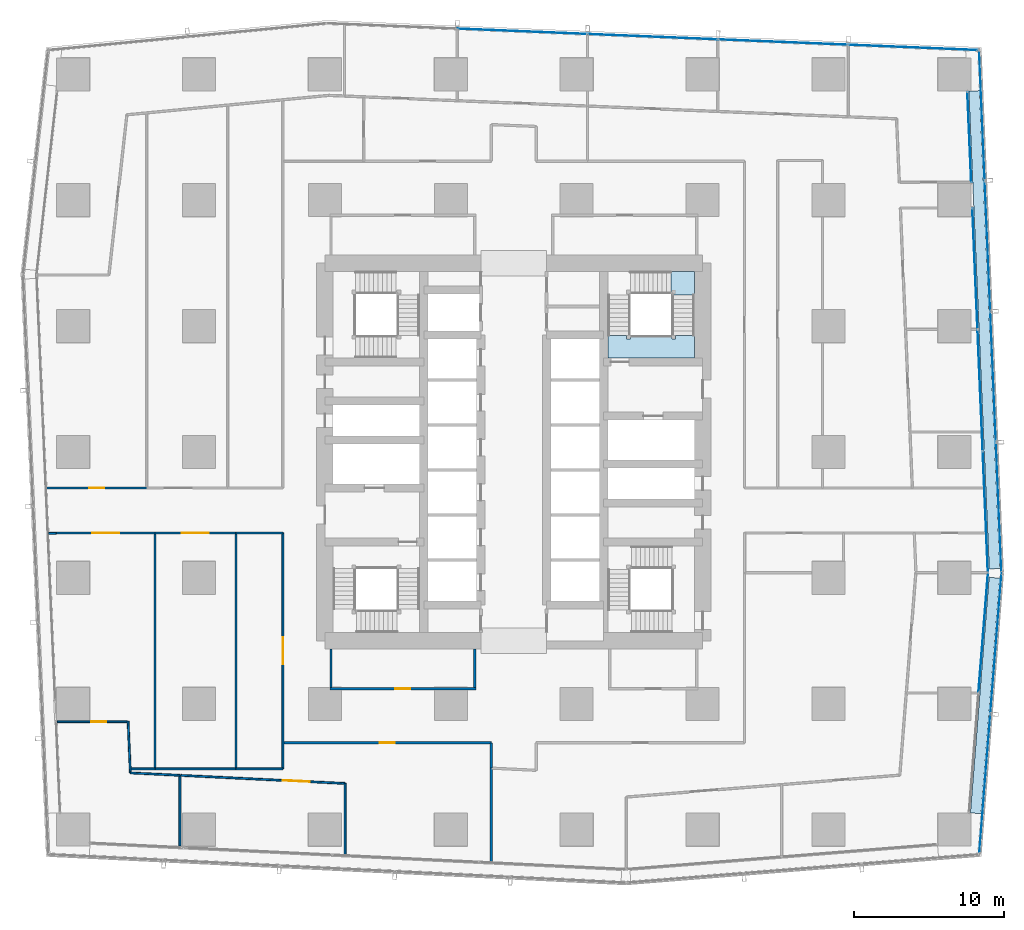
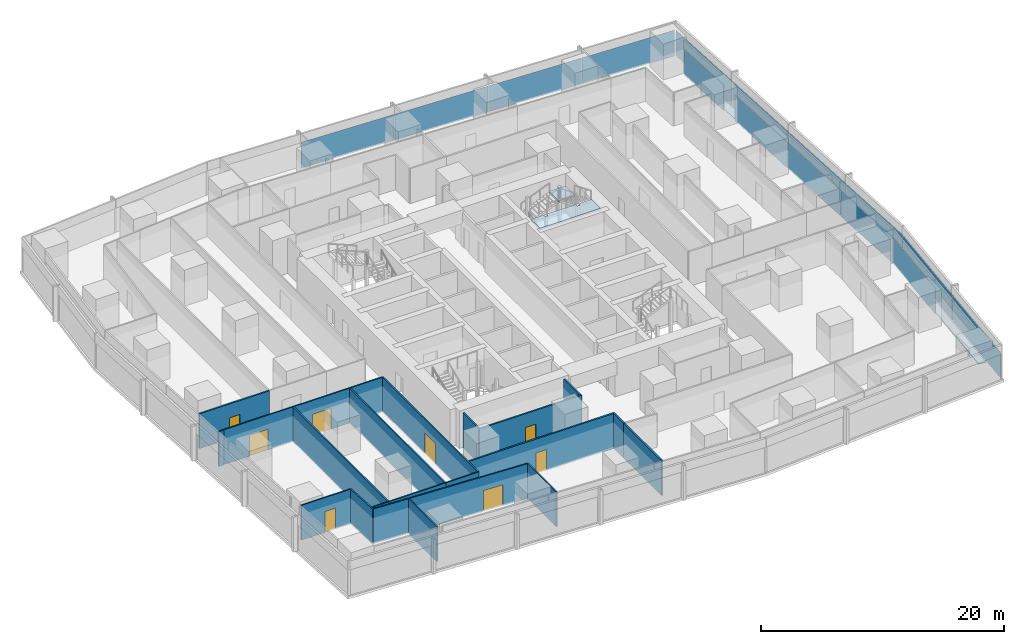
# One storey, part 31 of 44: 23 walls, 17 plates, 8 doors, 2 slabs, 8 openings, 7 elements without a shape of their own.
"""IFC4 building model written with IfcOpenShell, lengths in metres."""

from ifc_helpers import new_model, si_unit, direction, frame, frame_2d, origin, origin_2d, place, context, subcontext, project, spatial, polyline, rectangle, outline, extrude, material, layer, layer_set, type_object, element, fill, aggregate, save


model = new_model("IFC4")

# Units and contexts
model_context = context("Model", 3, precision=1e-05, world=origin(), true_north=direction((0.0, 1.0)))
body_context = subcontext(model_context, "Body", "Model", "MODEL_VIEW")
ifc_project = project(units=[si_unit("LENGTHUNIT", "METRE"), si_unit("AREAUNIT", "SQUARE_METRE"), si_unit("VOLUMEUNIT", "CUBIC_METRE"), si_unit("PLANEANGLEUNIT", "RADIAN"), si_unit("MASSUNIT", "GRAM", prefix="KILO")], contexts=[model_context])

# Site, building, storey
site_placement = place(None, origin())
site = spatial("IfcSite", under=ifc_project, at=site_placement, CompositionType="ELEMENT")
building_placement = place(site_placement, origin())
building = spatial("IfcBuilding", under=site, at=building_placement, Name="Rekha Terrace Tower", CompositionType="ELEMENT")
storey_placement = place(building_placement, frame((0.0, 0.0, 47.89990234375)))
storey = spatial("IfcBuildingStorey", under=building, at=storey_placement, Name="L11", CompositionType="ELEMENT", Elevation=47.89990234375)

# Curtain wall, plate
ifc_material_1 = material(Name="Aluminium framing", Category="aluminium")
curtain_wall_type_1 = type_object("IfcCurtainWallType", Name="CW1 double skin inner glazing", PredefinedType="USERDEFINED", material=ifc_material_1)
curtain_wall_1_placement = place(storey_placement, origin())
curtain_wall_1 = element("IfcCurtainWall", 1, at=curtain_wall_1_placement, inside=storey, type_object=curtain_wall_type_1, Name="CW1 double skin inner glazing", ObjectType="DOUBLE SKIN INNER GLAZING", PredefinedType="USERDEFINED")
ifc_material_2 = material(Name="Double-glazed low-e unit 32", Category="glass")
ifc_layer_1 = layer(ifc_material_2, 0.031982421875)
ifc_layer_set_1 = layer_set([ifc_layer_1], Name="Double-glazed low-e unit 32")
plate_type_1 = type_object("IfcPlateType", Name="CW1 jumbo vision panel, double-glazed low-e unit 32", PredefinedType="CURTAIN_PANEL", material=ifc_layer_set_1)
plate_1_placement = place(storey_placement, frame((69.1220703125, 21.53759765625, 0.0), z_axis=(0.0, 0.0, 1.0), x_axis=(0.079116301, 0.996865392576, 0.0)))
plate_1 = element("IfcPlate", 2, at=plate_1_placement, type_object=plate_type_1, Name="CW1 panel 2.1", PredefinedType="CURTAIN_PANEL", context=body_context, shape_type="SweptSolid", body=[
    extrude(rectangle(XDim=7.988525390625, YDim=0.031982421875, at=origin_2d()), origin(), (0.0, 0.0, 1.0), 2.60009765625),
])
aggregate(curtain_wall_1, [plate_1])

# Curtain wall, plates
curtain_wall_2_placement = place(storey_placement, origin())
curtain_wall_2 = element("IfcCurtainWall", 3, at=curtain_wall_2_placement, inside=storey, type_object=curtain_wall_type_1, Name="CW1 double skin inner glazing", ObjectType="DOUBLE SKIN INNER GLAZING", PredefinedType="USERDEFINED")
plate_2_placement = place(storey_placement, frame((69.263671875, 29.60107421875, 0.0), z_axis=(0.0, 0.0, 1.0), x_axis=(-0.042696072921, 0.999088106904, 0.0)))
plate_2 = element("IfcPlate", 4, at=plate_2_placement, type_object=plate_type_1, Name="CW1 panel 1.1", PredefinedType="CURTAIN_PANEL", context=body_context, shape_type="SweptSolid", body=[
    extrude(rectangle(XDim=8.041015625, YDim=0.031982421875, at=origin_2d()), origin(), (0.0, 0.0, 1.0), 2.60009765625),
])
plate_3_placement = place(storey_placement, frame((68.9169921875, 37.7158203125, 0.0), z_axis=(0.0, 0.0, 1.0), x_axis=(-0.042696072921, 0.999088106904, 0.0)))
plate_3 = element("IfcPlate", 5, at=plate_3_placement, type_object=plate_type_1, Name="CW1 panel 2.1", PredefinedType="CURTAIN_PANEL", context=body_context, shape_type="SweptSolid", body=[
    extrude(rectangle(XDim=8.073486328125, YDim=0.031982421875, at=origin_2d()), origin(), (0.0, 0.0, 1.0), 2.60009765625),
])
plate_4_placement = place(storey_placement, frame((68.5703125, 45.83056640625, 0.0), z_axis=(0.0, 0.0, 1.0), x_axis=(-0.042696072921, 0.999088106904, 0.0)))
plate_4 = element("IfcPlate", 6, at=plate_4_placement, type_object=plate_type_1, Name="CW1 panel 3.1", PredefinedType="CURTAIN_PANEL", context=body_context, shape_type="SweptSolid", body=[
    extrude(rectangle(XDim=8.041015625, YDim=0.031982421875, at=origin_2d()), origin(), (0.0, 0.0, 1.0), 2.60009765625),
])
aggregate(curtain_wall_2, [plate_2, plate_3, plate_4])

# Curtain wall, plate
curtain_wall_3_placement = place(storey_placement, origin())
curtain_wall_3 = element("IfcCurtainWall", 7, at=curtain_wall_3_placement, inside=storey, type_object=curtain_wall_type_1, Name="CW1 double skin inner glazing", ObjectType="DOUBLE SKIN INNER GLAZING", PredefinedType="USERDEFINED")
plate_5_placement = place(storey_placement, frame((68.195556640625, 54.60009765625, 0.0), z_axis=(0.0, 0.0, 1.0), x_axis=(-0.042696073026, 0.9990881069, 0.0)))
plate_5 = element("IfcPlate", 8, at=plate_5_placement, type_object=plate_type_1, Name="CW1 panel 1.1", PredefinedType="CURTAIN_PANEL", context=body_context, shape_type="SweptSolid", body=[
    extrude(rectangle(XDim=6.027587890625, YDim=0.031982421875, at=origin_2d()), origin(), (0.0, 0.0, 1.0), 2.60009765625),
])
aggregate(curtain_wall_3, [plate_5])

# Curtain wall, plates
curtain_wall_type_2 = type_object("IfcCurtainWallType", Name="CW2 double skin outer glazing", PredefinedType="USERDEFINED", material=ifc_material_1)
curtain_wall_4_placement = place(storey_placement, origin())
curtain_wall_4 = element("IfcCurtainWall", 9, at=curtain_wall_4_placement, inside=storey, type_object=curtain_wall_type_2, Name="CW2 double skin outer glazing", ObjectType="DOUBLE SKIN OUTER GLAZING", PredefinedType="USERDEFINED")
ifc_material_3 = material(Name="Toughened single glazing 12", Category="glass")
ifc_layer_2 = layer(ifc_material_3, 0.011962890625)
ifc_layer_set_2 = layer_set([ifc_layer_2], Name="Toughened single glazing 12")
plate_type_2 = type_object("IfcPlateType", Name="CW2 jumbo vision panel, toughened single glazing 12", PredefinedType="CURTAIN_PANEL", material=ifc_layer_set_2)
plate_6_placement = place(storey_placement, frame((69.22509765625, 11.45703125, 0.0), z_axis=(0.0, 0.0, 1.0), x_axis=(0.079116301017, 0.996865392575, 0.0)))
plate_6 = element("IfcPlate", 10, at=plate_6_placement, type_object=plate_type_2, Name="CW2 panel 1.1", PredefinedType="CURTAIN_PANEL", context=body_context, shape_type="SweptSolid", body=[
    extrude(rectangle(XDim=9.28662109375, YDim=0.011962890625, at=origin_2d()), origin(), (0.0, 0.0, 1.0), 2.60009765625),
])
plate_7_placement = place(storey_placement, frame((69.96923828125, 20.834228515625, 0.0), z_axis=(0.0, 0.0, 1.0), x_axis=(0.079116301017, 0.996865392575, 0.0)))
plate_7 = element("IfcPlate", 11, at=plate_7_placement, type_object=plate_type_2, Name="CW2 panel 2.1", PredefinedType="CURTAIN_PANEL", context=body_context, shape_type="SweptSolid", body=[
    extrude(rectangle(XDim=9.36669921875, YDim=0.011962890625, at=origin_2d()), origin(), (0.0, 0.0, 1.0), 2.60009765625),
])
aggregate(curtain_wall_4, [plate_6, plate_7])

curtain_wall_5_placement = place(storey_placement, origin())
curtain_wall_5 = element("IfcCurtainWall", 12, at=curtain_wall_5_placement, inside=storey, type_object=curtain_wall_type_2, Name="CW2 double skin outer glazing", ObjectType="DOUBLE SKIN OUTER GLAZING", PredefinedType="USERDEFINED")
plate_8_placement = place(storey_placement, frame((70.152099609375, 29.890869140625, 0.0), z_axis=(0.0, 0.0, 1.0), x_axis=(-0.042696072956, 0.999088106903, 0.0)))
plate_8 = element("IfcPlate", 13, at=plate_8_placement, type_object=plate_type_2, Name="CW2 panel 1.1", PredefinedType="CURTAIN_PANEL", context=body_context, shape_type="SweptSolid", body=[
    extrude(rectangle(XDim=8.623779296875, YDim=0.011962890625, at=origin_2d()), origin(), (0.0, 0.0, 1.0), 2.60009765625),
])
plate_9_placement = place(storey_placement, frame((69.77978515625, 38.606689453125, 0.0), z_axis=(0.0, 0.0, 1.0), x_axis=(-0.042696072956, 0.999088106903, 0.0)))
plate_9 = element("IfcPlate", 14, at=plate_9_placement, type_object=plate_type_2, Name="CW2 panel 2.1", PredefinedType="CURTAIN_PANEL", context=body_context, shape_type="SweptSolid", body=[
    extrude(rectangle(XDim=8.663818359375, YDim=0.011962890625, at=origin_2d()), origin(), (0.0, 0.0, 1.0), 2.60009765625),
])
plate_10_placement = place(storey_placement, frame((69.406494140625, 47.342529296875, 0.0), z_axis=(0.0, 0.0, 1.0), x_axis=(-0.042696072956, 0.999088106903, 0.0)))
plate_10 = element("IfcPlate", 15, at=plate_10_placement, type_object=plate_type_2, Name="CW2 panel 3.1", PredefinedType="CURTAIN_PANEL", context=body_context, shape_type="SweptSolid", body=[
    extrude(rectangle(XDim=8.663818359375, YDim=0.011962890625, at=origin_2d()), origin(), (0.0, 0.0, 1.0), 2.60009765625),
])
plate_11_placement = place(storey_placement, frame((69.033935546875, 56.058349609375, 0.0), z_axis=(0.0, 0.0, 1.0), x_axis=(-0.042696072956, 0.999088106903, 0.0)))
plate_11 = element("IfcPlate", 16, at=plate_11_placement, type_object=plate_type_2, Name="CW2 panel 4.1", PredefinedType="CURTAIN_PANEL", context=body_context, shape_type="SweptSolid", body=[
    extrude(rectangle(XDim=8.623779296875, YDim=0.011962890625, at=origin_2d()), origin(), (0.0, 0.0, 1.0), 2.60009765625),
])
aggregate(curtain_wall_5, [plate_8, plate_9, plate_10, plate_11])

curtain_wall_type_3 = type_object("IfcCurtainWallType", Name="CW3 north unitised glazing", PredefinedType="USERDEFINED", material=ifc_material_1)
curtain_wall_6_placement = place(storey_placement, origin())
curtain_wall_6 = element("IfcCurtainWall", 17, at=curtain_wall_6_placement, inside=storey, type_object=curtain_wall_type_3, Name="CW3 unitised curtain wall", ObjectType="UNITISED CURTAIN WALL", PredefinedType="USERDEFINED")
ifc_material_4 = material(Name="Double-glazed unit 28", Category="glass")
ifc_layer_3 = layer(ifc_material_4, 0.028076171875)
ifc_layer_set_3 = layer_set([ifc_layer_3], Name="Double-glazed unit 28")
plate_type_3 = type_object("IfcPlateType", Name="CW3 jumbo vision panel, double-glazed unit 28", PredefinedType="CURTAIN_PANEL", material=ifc_layer_set_3)
plate_12_placement = place(storey_placement, frame((64.4423828125, 60.587646484375, 0.0), z_axis=(0.0, 0.0, 1.0), x_axis=(-0.999151997647, 0.041173846041, 0.0)))
plate_12 = element("IfcPlate", 18, at=plate_12_placement, type_object=plate_type_3, Name="CW3 panel 1.1", PredefinedType="CURTAIN_PANEL", context=body_context, shape_type="SweptSolid", body=[
    extrude(rectangle(XDim=8.598876953125, YDim=0.028076171875, at=origin_2d()), origin(), (0.0, 0.0, 1.0), 2.60009765625),
])
plate_13_placement = place(storey_placement, frame((55.76318359375, 60.9453125, 0.0), z_axis=(0.0, 0.0, 1.0), x_axis=(-0.999151997647, 0.041173846041, 0.0)))
plate_13 = element("IfcPlate", 19, at=plate_13_placement, type_object=plate_type_3, Name="CW3 panel 2.1", PredefinedType="CURTAIN_PANEL", context=body_context, shape_type="SweptSolid", body=[
    extrude(rectangle(XDim=8.6337890625, YDim=0.028076171875, at=origin_2d()), origin(), (0.0, 0.0, 1.0), 2.60009765625),
])
plate_14_placement = place(storey_placement, frame((47.066650390625, 61.3037109375, 0.0), z_axis=(0.0, 0.0, 1.0), x_axis=(-0.999151997647, 0.041173846041, 0.0)))
plate_14 = element("IfcPlate", 20, at=plate_14_placement, type_object=plate_type_3, Name="CW3 panel 3.1", PredefinedType="CURTAIN_PANEL", context=body_context, shape_type="SweptSolid", body=[
    extrude(rectangle(XDim=8.6337890625, YDim=0.028076171875, at=origin_2d()), origin(), (0.0, 0.0, 1.0), 2.60009765625),
])
plate_15_placement = place(storey_placement, frame((38.370361328125, 61.662109375, 0.0), z_axis=(0.0, 0.0, 1.0), x_axis=(-0.999151997647, 0.041173846041, 0.0)))
plate_15 = element("IfcPlate", 21, at=plate_15_placement, type_object=plate_type_3, Name="CW3 panel 4.1", PredefinedType="CURTAIN_PANEL", context=body_context, shape_type="SweptSolid", body=[
    extrude(rectangle(XDim=8.6337890625, YDim=0.028076171875, at=origin_2d()), origin(), (0.0, 0.0, 1.0), 2.60009765625),
])
aggregate(curtain_wall_6, [plate_12, plate_13, plate_14, plate_15])

# Plates
ifc_material_5 = material(Name="Galvanised steel open grating", Category="steel")
ifc_layer_4 = layer(ifc_material_5, 0.050048828125)
ifc_layer_set_4 = layer_set([ifc_layer_4], Name="Galvanised steel open grating")
plate_type_4 = type_object("IfcPlateType", Name="GT1 cavity walkway grating 50", PredefinedType="USERDEFINED", material=ifc_layer_set_4)
plate_16_placement = place(storey_placement, frame((69.241455078125, 17.353515625, 0.0), z_axis=(0.0, 0.0, 1.0), x_axis=(0.079116301, 0.996865392576, 0.0)))
element("IfcPlate", 22, at=plate_16_placement, inside=storey, type_object=plate_type_4, Name="Cavity walkway grating", ObjectType="CAVITY WALKWAY GRATING", PredefinedType="USERDEFINED", context=body_context, shape_type="SweptSolid", body=[
    extrude(rectangle(XDim=15.7666015625, YDim=0.705078125, at=origin_2d()), origin(), (0.0, 0.0, 1.0), 0.050048828125),
])
plate_17_placement = place(storey_placement, frame((69.195068359375, 41.75, 0.0), z_axis=(0.0, 0.0, 1.0), x_axis=(-0.042696072939, 0.999088106903, 0.0)))
element("IfcPlate", 23, at=plate_17_placement, inside=storey, type_object=plate_type_4, Name="Cavity walkway grating", ObjectType="CAVITY WALKWAY GRATING", PredefinedType="USERDEFINED", context=body_context, shape_type="SweptSolid", body=[
    extrude(rectangle(XDim=31.9072265625, YDim=0.705078125, at=origin_2d()), origin(), (0.0, 0.0, 1.0), 0.050048828125),
])

# Stair, slabs
ifc_material_6 = material(Name="Concrete M40", Category="concrete")
stair_type = type_object("IfcStairType", Name="ST30 stair, 30 risers of 125, going 300, 1500 wide flights, 3 flights", PredefinedType="HALF_TURN_STAIR", material=ifc_material_6)
stair_placement = place(storey_placement, origin())
stair = element("IfcStair", 24, at=stair_placement, inside=storey, type_object=stair_type, Name="Stair ST2 L11 to L12", PredefinedType="HALF_TURN_STAIR")
ifc_layer_5 = layer(ifc_material_6, 0.199951171875)
ifc_layer_set_5 = layer_set([ifc_layer_5], Name="Concrete M40")
slab_type = type_object("IfcSlabType", Name="LD1 200 concrete stair landing", PredefinedType="LANDING", material=ifc_layer_set_5)
slab_1_placement = place(storey_placement, frame((0.0, 0.0, 2.300048828125)))
slab_1 = element("IfcSlab", 25, at=slab_1_placement, type_object=slab_type, Name="ST2 landing 2", PredefinedType="LANDING", context=body_context, shape_type="SweptSolid", body=[
    extrude(outline(polyline([(48.35009765625, 44.074951171875), (49.85009765625, 44.074951171875), (49.85009765625, 45.64990234375), (48.27490234375, 45.64990234375), (48.27490234375, 44.14990234375), (48.35009765625, 44.14990234375), (48.35009765625, 44.074951171875)])), origin(), (0.0, 0.0, 1.0), 0.199951171875),
])
slab_2_placement = place(storey_placement, frame((0.0, 0.0, 3.550048828125)))
slab_2 = element("IfcSlab", 26, at=slab_2_placement, type_object=slab_type, Name="ST2 landing 3", PredefinedType="LANDING", context=body_context, shape_type="SweptSolid", body=[
    extrude(outline(polyline([(44.074951171875, 41.375), (44.074951171875, 39.875), (49.85009765625, 39.875), (49.85009765625, 41.375), (48.60009765625, 41.375), (48.60009765625, 41.125), (48.35009765625, 41.125), (48.35009765625, 41.375), (45.574951171875, 41.375), (45.574951171875, 41.125), (45.324951171875, 41.125), (45.324951171875, 41.375), (44.074951171875, 41.375)])), origin(), (0.0, 0.0, 1.0), 0.199951171875),
])
aggregate(stair, [slab_1, slab_2])

# Wall, opening, door
ifc_material_7 = material(Name="Concrete block masonry, 1 hour", Category="masonry")
ifc_layer_6 = layer(ifc_material_7, 0.14990234375)
ifc_layer_set_6 = layer_set([ifc_layer_6], Name="Concrete block masonry, 1 hour")
wall_type_1 = type_object("IfcWallType", Name="WP2 150 tenancy partition", PredefinedType="PARTITIONING", material=ifc_layer_set_6)
wall_1_placement = place(storey_placement, frame((25.52490234375, 17.800048828125, 0.0), z_axis=(0.0, 0.0, 1.0), x_axis=(1.0, 0.0, 0.0)))
wall_1 = element("IfcWall", 27, at=wall_1_placement, inside=storey, type_object=wall_type_1, Name="Men's WC wall L11", PredefinedType="PARTITIONING", context=body_context, shape_type="SweptSolid", body=[
    extrude(rectangle(XDim=9.75, YDim=0.14990234375, at=frame_2d((4.875, 0.0))), origin(), (0.0, 0.0, 1.0), 3.5),
])
opening_1_placement = place(wall_1_placement, frame((4.375, 0.0, 0.0)))
opening_1 = element("IfcOpeningElement", 28, at=opening_1_placement, cuts=wall_1, Name="Opening D3", PredefinedType="OPENING", context=body_context, shape_type="SweptSolid", body=[
    extrude(rectangle(XDim=1.0, YDim=2.10009765625, at=frame_2d((0.5, 1.050048828125))), frame((0.0, 0.0849609375, 0.0), z_axis=(0.0, -1.0, 0.0), x_axis=(1.0, 0.0, 0.0)), (0.0, 0.0, 1.0), 0.169921875),
])
ifc_material_8 = material(Name="Laminated timber fire door", Category="wood")
door_type_1 = type_object("IfcDoorType", Name="D3 1000x2100 WC door", OperationType="SINGLE_SWING_LEFT", PredefinedType="DOOR", material=ifc_material_8)
door_1_placement = place(opening_1_placement, origin())
door_1 = element("IfcDoor", 29, at=door_1_placement, inside=storey, type_object=door_type_1, Name="Door men's wc L11", OperationType="SINGLE_SWING_LEFT", OverallHeight=2.10009765625, OverallWidth=1.0, PredefinedType="DOOR", context=body_context, shape_type="SweptSolid", body=[
    extrude(rectangle(XDim=1.0, YDim=2.10009765625, at=frame_2d((0.5, 1.050048828125))), frame((0.0, 0.02490234375, 0.0), z_axis=(0.0, -1.0, 0.0), x_axis=(1.0, 0.0, 0.0)), (0.0, 0.0, 1.0), 0.050048828125),
])
fill(opening_1, door_1)

# Walls
for number, where, z_axis, x_axis, name in (
    (30, (25.60009765625, 17.875, 0.0), (0.0, 0.0, 1.0), (0.0, 1.0, 0.0), "Men's WC wall L11"),
    (31, (35.199951171875, 17.875, 0.0), (0.0, 0.0, 1.0), (0.0, 1.0, 0.0), "Men's WC wall L11"),
):
    element("IfcWall", number, at=place(storey_placement, frame(where, z_axis=z_axis, x_axis=x_axis)), inside=storey, type_object=wall_type_1, Name=name, PredefinedType="PARTITIONING", context=body_context, shape_type="SweptSolid", body=[
        extrude(rectangle(XDim=2.574951171875, YDim=0.14990234375, at=frame_2d((1.28759765625, 0.0))), origin(), (0.0, 0.0, 1.0), 3.5),
    ])
wall_2_placement = place(storey_placement, frame((36.301025390625, 6.2529296875, 0.0), z_axis=(0.0, 0.0, 1.0), x_axis=(0.0, 1.0, 0.0)))
element("IfcWall", 32, at=wall_2_placement, inside=storey, type_object=wall_type_1, Name="Partition L11-O1", PredefinedType="PARTITIONING", context=body_context, shape_type="SweptSolid", body=[
    extrude(rectangle(XDim=6.257080078125, YDim=0.14990234375, at=frame_2d((3.12841796875, 0.0))), origin(), (0.0, 0.0, 1.0), 3.5),
])

# Wall, opening, door
wall_3_placement = place(storey_placement, frame((13.31689453125, 31.199951171875, 0.0), z_axis=(0.0, 0.0, 1.0), x_axis=(-1.0, 0.0, 0.0)))
wall_3 = element("IfcWall", 33, at=wall_3_placement, inside=storey, type_object=wall_type_1, Name="Partition L11-O4b", PredefinedType="PARTITIONING", context=body_context, shape_type="SweptSolid", body=[
    extrude(rectangle(XDim=6.681884765625, YDim=0.14990234375, at=frame_2d((3.3408203125, 0.0))), origin(), (0.0, 0.0, 1.0), 3.5),
])
opening_2_placement = place(wall_3_placement, frame((2.825927734375, 0.0, 0.0)))
opening_2 = element("IfcOpeningElement", 34, at=opening_2_placement, cuts=wall_3, Name="Opening D9", PredefinedType="OPENING", context=body_context, shape_type="SweptSolid", body=[
    extrude(rectangle(XDim=1.0, YDim=2.10009765625, at=frame_2d((0.5, 1.050048828125))), frame((0.0, 0.0849609375, 0.0), z_axis=(0.0, -1.0, 0.0), x_axis=(1.0, 0.0, 0.0)), (0.0, 0.0, 1.0), 0.169921875),
])
ifc_material_9 = material(Name="Timber fire door", Category="wood")
door_type_2 = type_object("IfcDoorType", Name="D9 1000x2100 office door", OperationType="SINGLE_SWING_LEFT", PredefinedType="DOOR", material=ifc_material_9)
door_2_placement = place(opening_2_placement, origin())
door_2 = element("IfcDoor", 35, at=door_2_placement, inside=storey, type_object=door_type_2, Name="Door open-plan office L11", OperationType="SINGLE_SWING_LEFT", OverallHeight=2.10009765625, OverallWidth=1.0, PredefinedType="DOOR", context=body_context, shape_type="SweptSolid", body=[
    extrude(rectangle(XDim=1.0, YDim=2.10009765625, at=frame_2d((0.5, 1.050048828125))), frame((0.0, 0.02490234375, 0.0), z_axis=(0.0, -1.0, 0.0), x_axis=(1.0, 0.0, 0.0)), (0.0, 0.0, 1.0), 0.050048828125),
])
fill(opening_2, door_2)

wall_4_placement = place(storey_placement, frame((22.4619140625, 14.199951171875, 0.0), z_axis=(0.0, 0.0, 1.0), x_axis=(1.0, 0.0, 0.0)))
wall_4 = element("IfcWall", 36, at=wall_4_placement, inside=storey, type_object=wall_type_1, Name="Partition L11-O5", PredefinedType="PARTITIONING", context=body_context, shape_type="SweptSolid", body=[
    extrude(rectangle(XDim=13.837158203125, YDim=0.14990234375, at=frame_2d((6.91845703125, 0.0))), origin(), (0.0, 0.0, 1.0), 3.5),
])
opening_3_placement = place(wall_4_placement, frame((6.387939453125, 0.0, 0.0)))
opening_3 = element("IfcOpeningElement", 37, at=opening_3_placement, cuts=wall_4, Name="Opening D9", PredefinedType="OPENING", context=body_context, shape_type="SweptSolid", body=[
    extrude(rectangle(XDim=1.0, YDim=2.10009765625, at=frame_2d((0.5, 1.050048828125))), frame((0.0, 0.0849609375, 0.0), z_axis=(0.0, -1.0, 0.0), x_axis=(1.0, 0.0, 0.0)), (0.0, 0.0, 1.0), 0.169921875),
])
door_3_placement = place(opening_3_placement, origin())
door_3 = element("IfcDoor", 38, at=door_3_placement, inside=storey, type_object=door_type_2, Name="Door open-plan office L11", OperationType="SINGLE_SWING_LEFT", OverallHeight=2.10009765625, OverallWidth=1.0, PredefinedType="DOOR", context=body_context, shape_type="SweptSolid", body=[
    extrude(rectangle(XDim=1.0, YDim=2.10009765625, at=frame_2d((0.5, 1.050048828125))), frame((0.0, 0.02490234375, 0.0), z_axis=(0.0, -1.0, 0.0), x_axis=(1.0, 0.0, 0.0)), (0.0, 0.0, 1.0), 0.050048828125),
])
fill(opening_3, door_3)

# Wall
wall_5_placement = place(storey_placement, frame((36.299072265625, 14.199951171875, 0.0), z_axis=(0.0, 0.0, 1.0), x_axis=(0.0, -1.0, 0.0)))
element("IfcWall", 39, at=wall_5_placement, inside=storey, type_object=wall_type_1, Name="Partition L11-O5", PredefinedType="PARTITIONING", context=body_context, shape_type="SweptSolid", body=[
    extrude(rectangle(XDim=1.68994140625, YDim=0.14990234375, at=frame_2d((0.844970703125, 0.0))), origin(), (0.0, 0.0, 1.0), 3.5),
])

# Wall, opening, door
ifc_material_10 = material(Name="Two layers of fire-rated gypsum board each side on steel studs, acoustic quilt, 1 hour", Category="steel")
ifc_layer_7 = layer(ifc_material_10, 0.125)
ifc_layer_set_7 = layer_set([ifc_layer_7], Name="Two layers of fire-rated gypsum board each side on steel studs, acoustic quilt, 1 hour")
wall_type_2 = type_object("IfcWallType", Name="WP3 125 office partition", PredefinedType="PARTITIONING", material=ifc_layer_set_7)
wall_6_placement = place(storey_placement, frame((7.346923828125, 15.60791015625, 0.0), z_axis=(0.0, 0.0, 1.0), x_axis=(1.0, 0.0, 0.0)))
wall_6 = element("IfcWall", 40, at=wall_6_placement, inside=storey, type_object=wall_type_2, Name="Partition L11-20", PredefinedType="PARTITIONING", context=body_context, shape_type="SweptSolid", body=[
    extrude(rectangle(XDim=4.662109375, YDim=0.125, at=frame_2d((2.3310546875, 0.0))), origin(), (0.0, 0.0, 1.0), 3.5),
])
opening_4_placement = place(wall_6_placement, frame((2.261962890625, 0.0, 0.0)))
opening_4 = element("IfcOpeningElement", 41, at=opening_4_placement, cuts=wall_6, Name="Opening D9", PredefinedType="OPENING", context=body_context, shape_type="SweptSolid", body=[
    extrude(rectangle(XDim=1.0, YDim=2.10009765625, at=frame_2d((0.5, 1.050048828125))), frame((0.0, 0.072509765625, 0.0), z_axis=(0.0, -1.0, 0.0), x_axis=(1.0, 0.0, 0.0)), (0.0, 0.0, 1.0), 0.14501953125),
])
door_4_placement = place(opening_4_placement, origin())
door_4 = element("IfcDoor", 42, at=door_4_placement, inside=storey, type_object=door_type_2, Name="Door director's office L11", OperationType="SINGLE_SWING_LEFT", OverallHeight=2.10009765625, OverallWidth=1.0, PredefinedType="DOOR", context=body_context, shape_type="SweptSolid", body=[
    extrude(rectangle(XDim=1.0, YDim=2.10009765625, at=frame_2d((0.5, 1.050048828125))), frame((0.0, 0.02490234375, 0.0), z_axis=(0.0, -1.0, 0.0), x_axis=(1.0, 0.0, 0.0)), (0.0, 0.0, 1.0), 0.050048828125),
])
fill(opening_4, door_4)

# Walls
wall_7_placement = place(storey_placement, frame((12.070068359375, 15.64306640625, 0.0), z_axis=(0.0, 0.0, 1.0), x_axis=(0.043664115519, -0.999046267705, 0.0)))
element("IfcWall", 43, at=wall_7_placement, inside=storey, type_object=wall_type_2, Name="Partition L11-20", PredefinedType="PARTITIONING", context=body_context, shape_type="SweptSolid", body=[
    extrude(rectangle(XDim=3.455322265625, YDim=0.125, at=frame_2d((1.7275390625, 0.0))), origin(), (0.0, 0.0, 1.0), 3.5),
])
wall_8_placement = place(storey_placement, frame((12.220947265625, 12.19091796875, 0.0), z_axis=(0.0, 0.0, 1.0), x_axis=(0.998801372368, -0.048947099555, 0.0)))
element("IfcWall", 44, at=wall_8_placement, inside=storey, type_object=wall_type_2, Name="Partition L11-20", PredefinedType="PARTITIONING", context=body_context, shape_type="SweptSolid", body=[
    extrude(rectangle(XDim=3.306884765625, YDim=0.125, at=frame_2d((1.6533203125, 0.0))), origin(), (0.0, 0.0, 1.0), 3.5),
])
wall_9_placement = place(storey_placement, frame((15.52392578125, 12.029052734375, 0.0), z_axis=(0.0, 0.0, 1.0), x_axis=(0.0, -1.0, 0.0)))
element("IfcWall", 45, at=wall_9_placement, inside=storey, type_object=wall_type_2, Name="Partition L11-20", PredefinedType="PARTITIONING", context=body_context, shape_type="SweptSolid", body=[
    extrude(rectangle(XDim=4.72607421875, YDim=0.125, at=frame_2d((2.363037109375, 0.0))), origin(), (0.0, 0.0, 1.0), 3.5),
])

# Wall, opening, door
wall_10_placement = place(storey_placement, frame((15.5859375, 12.02587890625, 0.0), z_axis=(0.0, 0.0, 1.0), x_axis=(0.998793981911, -0.04909767508, 0.0)))
wall_10 = element("IfcWall", 46, at=wall_10_placement, inside=storey, type_object=wall_type_2, Name="Partition L11-21", PredefinedType="PARTITIONING", context=body_context, shape_type="SweptSolid", body=[
    extrude(rectangle(XDim=10.974365234375, YDim=0.125, at=frame_2d((5.4873046875, 0.0))), origin(), (0.0, 0.0, 1.0), 3.5),
])
opening_5_placement = place(wall_10_placement, frame((6.81494140625, 0.0, 0.0)))
opening_5 = element("IfcOpeningElement", 47, at=opening_5_placement, cuts=wall_10, Name="Opening D8", PredefinedType="OPENING", context=body_context, shape_type="SweptSolid", body=[
    extrude(rectangle(XDim=1.800048828125, YDim=2.10009765625, at=frame_2d((0.89990234375, 1.050048828125))), frame((0.0, 0.072509765625, 0.0), z_axis=(0.0, -1.0, 0.0), x_axis=(1.0, 0.0, 0.0)), (0.0, 0.0, 1.0), 0.14501953125),
])
door_type_3 = type_object("IfcDoorType", Name="D8 1800x2100 double leaf door", OperationType="DOUBLE_DOOR_SINGLE_SWING", PredefinedType="DOOR", material=ifc_material_9)
door_5_placement = place(opening_5_placement, origin())
door_5 = element("IfcDoor", 48, at=door_5_placement, inside=storey, type_object=door_type_3, Name="Door reference library L11", OperationType="DOUBLE_DOOR_SINGLE_SWING", OverallHeight=2.10009765625, OverallWidth=1.800048828125, PredefinedType="DOOR", context=body_context, shape_type="SweptSolid", body=[
    extrude(rectangle(XDim=1.800048828125, YDim=2.10009765625, at=frame_2d((0.89990234375, 1.050048828125))), frame((0.0, 0.02490234375, 0.0), z_axis=(0.0, -1.0, 0.0), x_axis=(1.0, 0.0, 0.0)), (0.0, 0.0, 1.0), 0.050048828125),
])
fill(opening_5, door_5)

# Walls
wall_11_placement = place(storey_placement, frame((26.547119140625, 11.487060546875, 0.0), z_axis=(0.0, 0.0, 1.0), x_axis=(0.0, -1.0, 0.0)))
element("IfcWall", 49, at=wall_11_placement, inside=storey, type_object=wall_type_2, Name="Partition L11-21", PredefinedType="PARTITIONING", context=body_context, shape_type="SweptSolid", body=[
    extrude(rectangle(XDim=4.755126953125, YDim=0.125, at=frame_2d((2.37744140625, 0.0))), origin(), (0.0, 0.0, 1.0), 3.5),
])
wall_12_placement = place(storey_placement, frame((6.76806640625, 28.175048828125, 0.0), z_axis=(0.0, 0.0, 1.0), x_axis=(1.0, 0.0, 0.0)))
element("IfcWall", 50, at=wall_12_placement, inside=storey, type_object=wall_type_2, Name="Partition L11-22", PredefinedType="PARTITIONING", context=body_context, shape_type="SweptSolid", body=[
    extrude(rectangle(XDim=0.498046875, YDim=0.125, at=frame_2d((0.2490234375, 0.0))), origin(), (0.0, 0.0, 1.0), 3.5),
])

# Wall, opening, door
wall_13_placement = place(storey_placement, frame((7.26611328125, 28.199951171875, 0.0), z_axis=(0.0, 0.0, 1.0), x_axis=(1.0, 0.0, 0.0)))
wall_13 = element("IfcWall", 51, at=wall_13_placement, inside=storey, type_object=wall_type_2, Name="Partition L11-22", PredefinedType="PARTITIONING", context=body_context, shape_type="SweptSolid", body=[
    extrude(rectangle(XDim=6.599853515625, YDim=0.125, at=frame_2d((3.2998046875, 0.0))), origin(), (0.0, 0.0, 1.0), 3.5),
])
opening_6_placement = place(wall_13_placement, frame((2.39990234375, 0.0, 0.0)))
opening_6 = element("IfcOpeningElement", 52, at=opening_6_placement, cuts=wall_13, Name="Opening D8", PredefinedType="OPENING", context=body_context, shape_type="SweptSolid", body=[
    extrude(rectangle(XDim=1.800048828125, YDim=2.10009765625, at=frame_2d((0.89990234375, 1.050048828125))), frame((0.0, 0.072509765625, 0.0), z_axis=(0.0, -1.0, 0.0), x_axis=(1.0, 0.0, 0.0)), (0.0, 0.0, 1.0), 0.14501953125),
])
door_6_placement = place(opening_6_placement, origin())
door_6 = element("IfcDoor", 53, at=door_6_placement, inside=storey, type_object=door_type_3, Name="Door reception L11", OperationType="DOUBLE_DOOR_SINGLE_SWING", OverallHeight=2.10009765625, OverallWidth=1.800048828125, PredefinedType="DOOR", context=body_context, shape_type="SweptSolid", body=[
    extrude(rectangle(XDim=1.800048828125, YDim=2.10009765625, at=frame_2d((0.89990234375, 1.050048828125))), frame((0.0, 0.02490234375, 0.0), z_axis=(0.0, -1.0, 0.0), x_axis=(1.0, 0.0, 0.0)), (0.0, 0.0, 1.0), 0.050048828125),
])
fill(opening_6, door_6)

# Walls
wall_14_placement = place(storey_placement, frame((13.865966796875, 28.199951171875, 0.0), z_axis=(0.0, 0.0, 1.0), x_axis=(0.0, -1.0, 0.0)))
element("IfcWall", 54, at=wall_14_placement, inside=storey, type_object=wall_type_2, Name="Partition L11-22", PredefinedType="PARTITIONING", context=body_context, shape_type="SweptSolid", body=[
    extrude(rectangle(XDim=15.739990234375, YDim=0.125, at=frame_2d((7.8701171875, 0.0))), origin(), (0.0, 0.0, 1.0), 3.5),
])
wall_15_placement = place(storey_placement, frame((13.865966796875, 12.4599609375, 0.0), z_axis=(0.0, 0.0, 1.0), x_axis=(-1.0, 0.0, 0.0)))
element("IfcWall", 55, at=wall_15_placement, inside=storey, type_object=wall_type_2, Name="Partition L11-22", PredefinedType="PARTITIONING", context=body_context, shape_type="SweptSolid", body=[
    extrude(rectangle(XDim=1.593994140625, YDim=0.125, at=frame_2d((0.796875, 0.0))), origin(), (0.0, 0.0, 1.0), 3.5),
])
wall_16_placement = place(storey_placement, frame((19.26611328125, 28.199951171875, 0.0), z_axis=(0.0, 0.0, 1.0), x_axis=(0.0, -1.0, 0.0)))
element("IfcWall", 56, at=wall_16_placement, inside=storey, type_object=wall_type_2, Name="Partition L11-23", PredefinedType="PARTITIONING", context=body_context, shape_type="SweptSolid", body=[
    extrude(rectangle(XDim=15.739990234375, YDim=0.125, at=frame_2d((7.8701171875, 0.0))), origin(), (0.0, 0.0, 1.0), 3.5),
])
wall_17_placement = place(storey_placement, frame((19.26611328125, 12.4599609375, 0.0), z_axis=(0.0, 0.0, 1.0), x_axis=(-1.0, 0.0, 0.0)))
element("IfcWall", 57, at=wall_17_placement, inside=storey, type_object=wall_type_2, Name="Partition L11-23", PredefinedType="PARTITIONING", context=body_context, shape_type="SweptSolid", body=[
    extrude(rectangle(XDim=5.400146484375, YDim=0.125, at=frame_2d((2.7001953125, 0.0))), origin(), (0.0, 0.0, 1.0), 3.5),
])

# Wall, opening, door
wall_18_placement = place(storey_placement, frame((13.865966796875, 28.199951171875, 0.0), z_axis=(0.0, 0.0, 1.0), x_axis=(1.0, 0.0, 0.0)))
wall_18 = element("IfcWall", 58, at=wall_18_placement, inside=storey, type_object=wall_type_2, Name="Partition L11-23", PredefinedType="PARTITIONING", context=body_context, shape_type="SweptSolid", body=[
    extrude(rectangle(XDim=5.400146484375, YDim=0.125, at=frame_2d((2.7001953125, 0.0))), origin(), (0.0, 0.0, 1.0), 3.5),
])
opening_7_placement = place(wall_18_placement, frame((1.800048828125, 0.0, 0.0)))
opening_7 = element("IfcOpeningElement", 59, at=opening_7_placement, cuts=wall_18, Name="Opening D8", PredefinedType="OPENING", context=body_context, shape_type="SweptSolid", body=[
    extrude(rectangle(XDim=1.800048828125, YDim=2.10009765625, at=frame_2d((0.89990234375, 1.050048828125))), frame((0.0, 0.072509765625, 0.0), z_axis=(0.0, -1.0, 0.0), x_axis=(1.0, 0.0, 0.0)), (0.0, 0.0, 1.0), 0.14501953125),
])
door_7_placement = place(opening_7_placement, origin())
door_7 = element("IfcDoor", 60, at=door_7_placement, inside=storey, type_object=door_type_3, Name="Door wellness room L11", OperationType="DOUBLE_DOOR_SINGLE_SWING", OverallHeight=2.10009765625, OverallWidth=1.800048828125, PredefinedType="DOOR", context=body_context, shape_type="SweptSolid", body=[
    extrude(rectangle(XDim=1.800048828125, YDim=2.10009765625, at=frame_2d((0.89990234375, 1.050048828125))), frame((0.0, 0.02490234375, 0.0), z_axis=(0.0, -1.0, 0.0), x_axis=(1.0, 0.0, 0.0)), (0.0, 0.0, 1.0), 0.050048828125),
])
fill(opening_7, door_7)

wall_19_placement = place(storey_placement, frame((22.39990234375, 28.199951171875, 0.0), z_axis=(0.0, 0.0, 1.0), x_axis=(0.0, -1.0, 0.0)))
wall_19 = element("IfcWall", 61, at=wall_19_placement, inside=storey, type_object=wall_type_2, Name="Partition L11-24", PredefinedType="PARTITIONING", context=body_context, shape_type="SweptSolid", body=[
    extrude(rectangle(XDim=15.739990234375, YDim=0.125, at=frame_2d((7.8701171875, 0.0))), origin(), (0.0, 0.0, 1.0), 3.5),
])
opening_8_placement = place(wall_19_placement, frame((6.969970703125, 0.0, 0.0)))
opening_8 = element("IfcOpeningElement", 62, at=opening_8_placement, cuts=wall_19, Name="Opening D8", PredefinedType="OPENING", context=body_context, shape_type="SweptSolid", body=[
    extrude(rectangle(XDim=1.800048828125, YDim=2.10009765625, at=frame_2d((0.89990234375, 1.050048828125))), frame((0.0, 0.072509765625, 0.0), z_axis=(0.0, -1.0, 0.0), x_axis=(1.0, 0.0, 0.0)), (0.0, 0.0, 1.0), 0.14501953125),
])
door_8_placement = place(opening_8_placement, origin())
door_8 = element("IfcDoor", 63, at=door_8_placement, inside=storey, type_object=door_type_3, Name="Door focus room L11", OperationType="DOUBLE_DOOR_SINGLE_SWING", OverallHeight=2.10009765625, OverallWidth=1.800048828125, PredefinedType="DOOR", context=body_context, shape_type="SweptSolid", body=[
    extrude(rectangle(XDim=1.800048828125, YDim=2.10009765625, at=frame_2d((0.89990234375, 1.050048828125))), frame((0.0, 0.02490234375, 0.0), z_axis=(0.0, -1.0, 0.0), x_axis=(1.0, 0.0, 0.0)), (0.0, 0.0, 1.0), 0.050048828125),
])
fill(opening_8, door_8)

# Walls
for number, where, z_axis, x_axis, name in (
    (64, (22.39990234375, 12.4599609375, 0.0), (0.0, 0.0, 1.0), (-1.0, 0.0, 0.0), "Partition L11-24"),
    (65, (19.26611328125, 28.199951171875, 0.0), (0.0, 0.0, 1.0), (1.0, 0.0, 0.0), "Partition L11-24"),
):
    element("IfcWall", number, at=place(storey_placement, frame(where, z_axis=z_axis, x_axis=x_axis)), inside=storey, type_object=wall_type_2, Name=name, PredefinedType="PARTITIONING", context=body_context, shape_type="SweptSolid", body=[
        extrude(rectangle(XDim=3.1337890625, YDim=0.125, at=frame_2d((1.56689453125, 0.0))), origin(), (0.0, 0.0, 1.0), 3.5),
    ])

save(model, "model.ifc")
